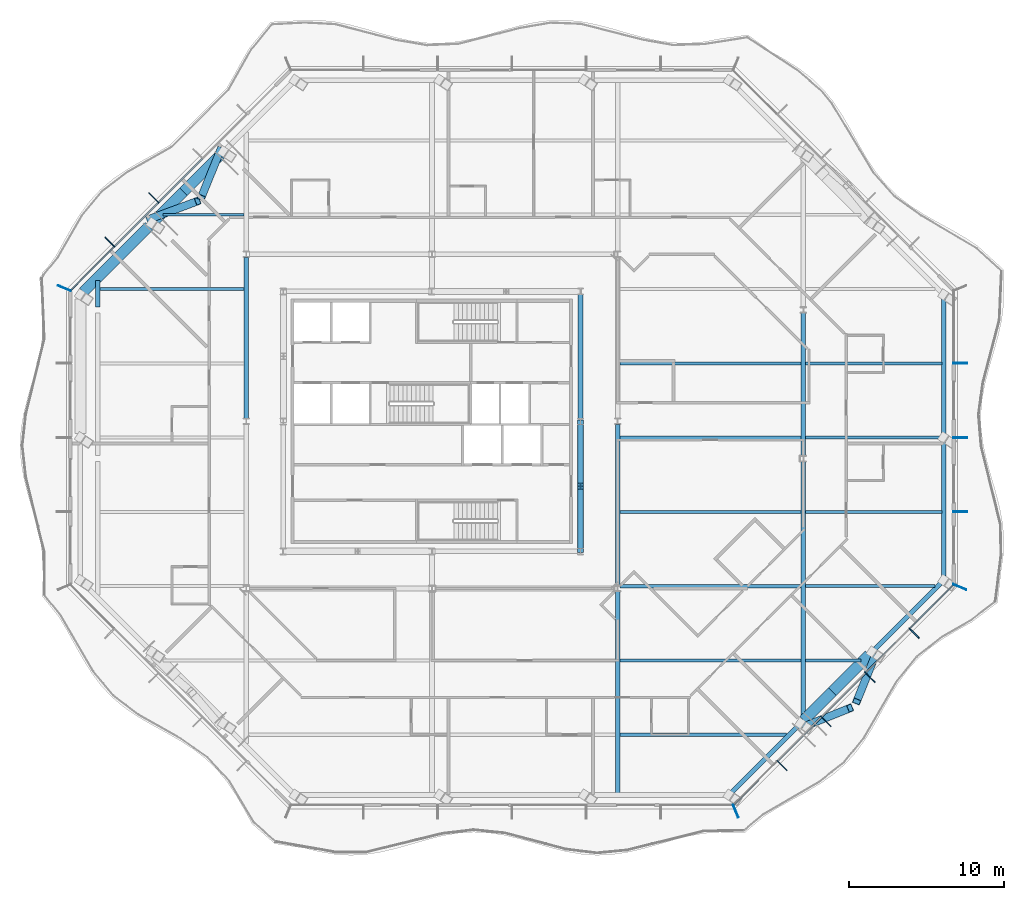
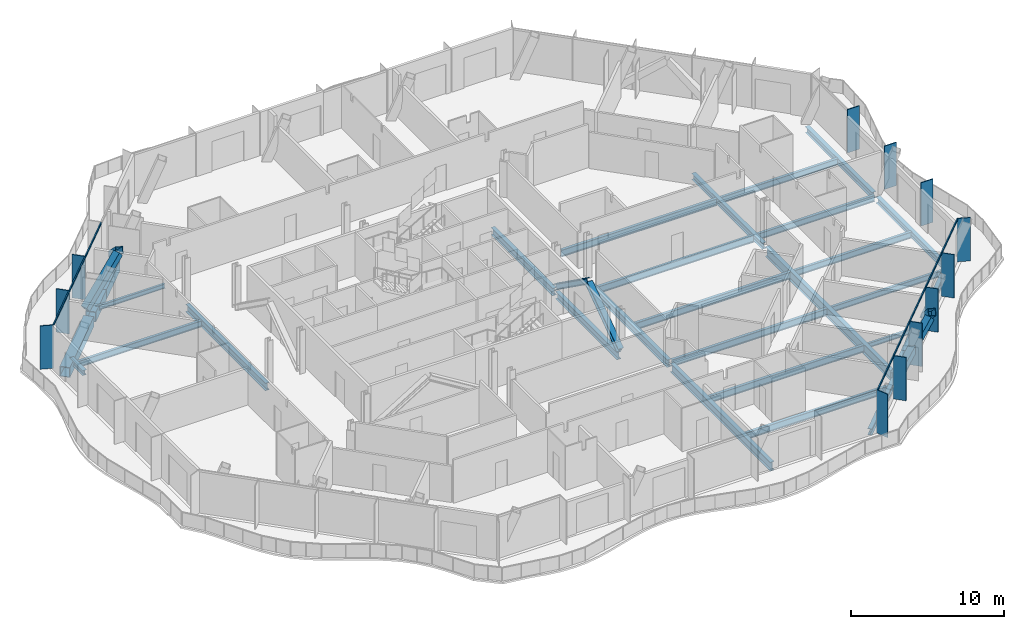
# One storey, part 4 of 19: 30 beams, 26 members, 4 elements without a shape of their own.
"""IFC4 building model written with IfcOpenShell, lengths in metres."""

from ifc_helpers import new_model, si_unit, direction, frame, origin, origin_2d, place, context, subcontext, project, spatial, rectangle, hollow_rectangle, i_section, extrude, material, material_profile, profile_set, type_object, element, aggregate, save


model = new_model("IFC4")

# Units and contexts
model_context = context("Model", 3, precision=1e-05, world=origin(), true_north=direction((0.0, 1.0)))
body_context = subcontext(model_context, "Body", "Model", "MODEL_VIEW")
ifc_project = project(units=[si_unit("LENGTHUNIT", "METRE"), si_unit("AREAUNIT", "SQUARE_METRE"), si_unit("VOLUMEUNIT", "CUBIC_METRE"), si_unit("PLANEANGLEUNIT", "RADIAN"), si_unit("MASSUNIT", "GRAM", prefix="KILO")], contexts=[model_context])

# Site, building, storey
site_placement = place(None, origin())
site = spatial("IfcSite", under=ifc_project, at=site_placement, CompositionType="ELEMENT")
building_placement = place(site_placement, origin())
building = spatial("IfcBuilding", under=site, at=building_placement, Name="Cairn Pilgrim Tower", CompositionType="ELEMENT")
storey_placement = place(building_placement, frame((0.0, 0.0, 190.199951171875)))
storey = spatial("IfcBuildingStorey", under=building, at=storey_placement, Name="L48", CompositionType="ELEMENT", Elevation=190.199951171875)

# Members
ifc_material_1 = material(Name="Structural steel S460M", Category="steel")
ifc_material_profile_1 = material_profile(ifc_material_1, hollow_rectangle(XDim=0.5, YDim=0.5, WallThickness=0.030029296875, at=origin_2d()), Name="BOX 500x500x30")
ifc_profile_set_1 = profile_set([ifc_material_profile_1], Name="Structural steel S460M")
member_type_1 = type_object("IfcMemberType", Name="BOX 500x500x30 BRACE", PredefinedType="BRACE", material=ifc_profile_set_1)
for number, where, z_axis, x_axis, name in (
    (1, (31.29150390625, -17.305908203125, 0.150146484375), (0.716101541701, 0.287715115432, 0.63593914357), (-0.372813914761, 0.927906129391, 0.0), "XB-SE2-SE3-1"),
    (2, (35.8310546875, -12.7666015625, 0.150146484375), (-0.287769739998, -0.716089270228, 0.6359282458), (0.92787943147, -0.372880357025, 0.0), "XB-SE2-SE3-2"),
):
    element("IfcMember", number, at=place(storey_placement, frame(where, z_axis=z_axis, x_axis=x_axis)), inside=storey, type_object=member_type_1, Name=name, PredefinedType="BRACE", context=body_context, shape_type="SweptSolid", body=[
        extrude(hollow_rectangle(XDim=0.5, YDim=0.5, WallThickness=0.030029296875, at=origin_2d()), origin(), (0.0, 0.0, 1.0), 4.099365234375),
    ])
member_1_placement = place(storey_placement, frame((-6.458251953125, 19.949462890625, 0.1123046875), z_axis=(-0.295154992859, -0.723596550511, 0.623932337902), x_axis=(0.925932925702, -0.377687989087, 0.0)))
element("IfcMember", 3, at=member_1_placement, inside=storey, type_object=member_type_1, Name="XB-NW2-NW3-1", PredefinedType="BRACE", context=body_context, shape_type="SweptSolid", body=[
    extrude(hollow_rectangle(XDim=0.5, YDim=0.5, WallThickness=0.030029296875, at=origin_2d()), origin(), (0.0, 0.0, 1.0), 4.262451171875),
])
member_2_placement = place(storey_placement, frame((-11.0810546875, 15.466552734375, 0.150146484375), z_axis=(0.73790861366, 0.275948569011, 0.61590848764), x_axis=(-0.350269570718, 0.936648935209, 0.0)))
element("IfcMember", 4, at=member_2_placement, inside=storey, type_object=member_type_1, Name="XB-NW2-NW3-2", PredefinedType="BRACE", context=body_context, shape_type="SweptSolid", body=[
    extrude(hollow_rectangle(XDim=0.5, YDim=0.5, WallThickness=0.030029296875, at=origin_2d()), origin(), (0.0, 0.0, 1.0), 4.25634765625),
])

# Beams
ifc_material_2 = material(Name="Structural steel S355J2", Category="steel")
ifc_material_profile_2 = material_profile(ifc_material_2, hollow_rectangle(XDim=0.699951171875, YDim=0.800048828125, WallThickness=0.0400390625, at=origin_2d()), Name="BOX 700x800x40")
ifc_profile_set_2 = profile_set([ifc_material_profile_2], Name="Structural steel S355J2")
beam_type_1 = type_object("IfcBeamType", Name="BOX 700x800x40 RING GIRDER", PredefinedType="SPANDREL", material=ifc_profile_set_2)
beam_1_placement = place(storey_placement, frame((31.21728515625, -16.934814453125, -0.550048828125), z_axis=(0.707153217357, 0.707060341967, 0.0), x_axis=(-0.707060341967, 0.707153217357, 0.0)))
element("IfcBeam", 5, at=beam_1_placement, inside=storey, type_object=beam_type_1, Name="RG2-SE2-SE3-1", PredefinedType="SPANDREL", context=body_context, shape_type="SweptSolid", body=[
    extrude(hollow_rectangle(XDim=0.699951171875, YDim=0.800048828125, WallThickness=0.0400390625, at=origin_2d()), origin(), (0.0, 0.0, 1.0), 2.628662109375),
])
for number, where, z_axis, x_axis, name in (
    (6, (33.076171875, -15.076171875, -0.550048828125), (0.707070568512, 0.707142992006, 0.0), (-0.707142992006, 0.707070568512, 0.0), "RG2-SE2-SE3-2"),
    (7, (-6.46728515625, 19.634765625, -0.550048828125), (-0.707142992006, -0.707070568512, 0.0), (0.707070568512, -0.707142992006, 0.0), "RG2-NW2-NW3-1"),
):
    element("IfcBeam", number, at=place(storey_placement, frame(where, z_axis=z_axis, x_axis=x_axis)), inside=storey, type_object=beam_type_1, Name=name, PredefinedType="SPANDREL", context=body_context, shape_type="SweptSolid", body=[
        extrude(hollow_rectangle(XDim=0.699951171875, YDim=0.800048828125, WallThickness=0.0400390625, at=origin_2d()), origin(), (0.0, 0.0, 1.0), 3.37109375),
    ])
beam_2_placement = place(storey_placement, frame((-8.85107421875, 17.251220703125, -0.550048828125), z_axis=(-0.707060341967, -0.707153217357, 0.0), x_axis=(0.707153217357, -0.707060341967, 0.0)))
element("IfcBeam", 8, at=beam_2_placement, inside=storey, type_object=beam_type_1, Name="RG2-NW2-NW3-2", PredefinedType="SPANDREL", context=body_context, shape_type="SweptSolid", body=[
    extrude(hollow_rectangle(XDim=0.699951171875, YDim=0.800048828125, WallThickness=0.0400390625, at=origin_2d()), origin(), (0.0, 0.0, 1.0), 2.628662109375),
])
beam_3_placement = place(storey_placement, frame((-11.091796875, 15.010498046875, -0.550048828125), z_axis=(-0.707086434254, -0.707127127534, 0.0), x_axis=(0.707127127534, -0.707086434254, 0.0)))
element("IfcBeam", 9, at=beam_3_placement, inside=storey, type_object=beam_type_1, Name="RG2-NW3-W1", PredefinedType="SPANDREL", context=body_context, shape_type="SweptSolid", body=[
    extrude(hollow_rectangle(XDim=0.699951171875, YDim=0.800048828125, WallThickness=0.0400390625, at=origin_2d()), origin(), (0.0, 0.0, 1.0), 5.99951171875),
])

# Curtain wall, members
ifc_material_3 = material(Name="Aluminium alloy 6063-T6 bronze anodised with Bronze tinted laminated low-E glass 8+16+8.8", Category="aluminium")
curtain_wall_type_1 = type_object("IfcCurtainWallType", Name="CHAMFER CORNER CURTAIN WALL", PredefinedType="NOTDEFINED", material=ifc_material_3)
curtain_wall_1_placement = place(storey_placement, origin())
curtain_wall_1 = element("IfcCurtainWall", 10, at=curtain_wall_1_placement, inside=storey, type_object=curtain_wall_type_1, Name="Chamfer Corner Curtain Wall SE", PredefinedType="NOTDEFINED")
ifc_material_4 = material(Name="Aluminium alloy 6063-T6 bronze anodised", Category="aluminium")
ifc_material_profile_3 = material_profile(ifc_material_4, rectangle(XDim=0.89990234375, YDim=0.06005859375, at=origin_2d()), Name="FIN MULLION 60x900 BRONZE")
ifc_profile_set_3 = profile_set([ifc_material_profile_3], Name="Aluminium alloy 6063-T6 bronze anodised")
member_type_2 = type_object("IfcMemberType", Name="FIN MULLION 60x900 BRONZE", PredefinedType="MULLION", material=ifc_profile_set_3)
member_3_placement = place(storey_placement, frame((26.832275390625, -22.7880859375, 0.0), z_axis=(0.0, 0.0, 1.0), x_axis=(0.382683432365, -0.923879532511, 0.0)))
member_3 = element("IfcMember", 11, at=member_3_placement, type_object=member_type_2, Name="Fin mullion SE1", PredefinedType="MULLION", context=body_context, shape_type="SweptSolid", body=[
    extrude(rectangle(XDim=0.89990234375, YDim=0.06005859375, at=origin_2d()), origin(), (0.0, 0.0, 1.0), 3.449951171875),
])
member_4_placement = place(storey_placement, frame((29.819091796875, -19.84619140625, 0.0), z_axis=(0.0, 0.0, 1.0), x_axis=(0.707106781187, -0.707106781187, 0.0)))
member_4 = element("IfcMember", 12, at=member_4_placement, type_object=member_type_2, Name="Fin mullion SE2", PredefinedType="MULLION", context=body_context, shape_type="SweptSolid", body=[
    extrude(rectangle(XDim=0.89990234375, YDim=0.06005859375, at=origin_2d()), origin(), (0.0, 0.0, 1.0), 3.449951171875),
])
member_5_placement = place(storey_placement, frame((32.669921875, -16.99560546875, 0.0), z_axis=(0.0, 0.0, 1.0), x_axis=(0.707106781187, -0.707106781187, 0.0)))
member_5 = element("IfcMember", 13, at=member_5_placement, type_object=member_type_2, Name="Fin mullion SE3", PredefinedType="MULLION", context=body_context, shape_type="SweptSolid", body=[
    extrude(rectangle(XDim=0.89990234375, YDim=0.06005859375, at=origin_2d()), origin(), (0.0, 0.0, 1.0), 3.449951171875),
])
member_6_placement = place(storey_placement, frame((35.5205078125, -14.144775390625, 0.0), z_axis=(0.0, 0.0, 1.0), x_axis=(0.707106781187, -0.707106781187, 0.0)))
member_6 = element("IfcMember", 14, at=member_6_placement, type_object=member_type_2, Name="Fin mullion SE4", PredefinedType="MULLION", context=body_context, shape_type="SweptSolid", body=[
    extrude(rectangle(XDim=0.89990234375, YDim=0.06005859375, at=origin_2d()), origin(), (0.0, 0.0, 1.0), 3.449951171875),
])
member_7_placement = place(storey_placement, frame((38.371337890625, -11.294189453125, 0.0), z_axis=(0.0, 0.0, 1.0), x_axis=(0.707106781187, -0.707106781187, 0.0)))
member_7 = element("IfcMember", 15, at=member_7_placement, type_object=member_type_2, Name="Fin mullion SE5", PredefinedType="MULLION", context=body_context, shape_type="SweptSolid", body=[
    extrude(rectangle(XDim=0.89990234375, YDim=0.06005859375, at=origin_2d()), origin(), (0.0, 0.0, 1.0), 3.449951171875),
])

curtain_wall_type_2 = type_object("IfcCurtainWallType", Name="TOWER STICK CURTAIN WALL EW", PredefinedType="NOTDEFINED", material=ifc_material_3)
curtain_wall_2_placement = place(storey_placement, origin())
curtain_wall_2 = element("IfcCurtainWall", 16, at=curtain_wall_2_placement, inside=storey, type_object=curtain_wall_type_2, Name="Tower Stick Curtain Wall Ew E", PredefinedType="NOTDEFINED")
member_8_placement = place(storey_placement, frame((41.31298828125, -8.30712890625, 0.0), z_axis=(0.0, 0.0, 1.0), x_axis=(0.923879532511, -0.382683432365, 0.0)))
member_8 = element("IfcMember", 17, at=member_8_placement, type_object=member_type_2, Name="Fin mullion E1", PredefinedType="MULLION", context=body_context, shape_type="SweptSolid", body=[
    extrude(rectangle(XDim=0.89990234375, YDim=0.06005859375, at=origin_2d()), origin(), (0.0, 0.0, 1.0), 3.449951171875),
])
member_9_placement = place(storey_placement, frame((41.344970703125, -3.449951171875, 0.0), z_axis=(0.0, 0.0, 1.0), x_axis=(1.0, 0.0, 0.0)))
member_9 = element("IfcMember", 18, at=member_9_placement, type_object=member_type_2, Name="Fin mullion E2", PredefinedType="MULLION", context=body_context, shape_type="SweptSolid", body=[
    extrude(rectangle(XDim=0.89990234375, YDim=0.06005859375, at=origin_2d()), origin(), (0.0, 0.0, 1.0), 3.449951171875),
])
member_10_placement = place(storey_placement, frame((41.344970703125, 1.35009765625, 0.0), z_axis=(0.0, 0.0, 1.0), x_axis=(1.0, 0.0, 0.0)))
member_10 = element("IfcMember", 19, at=member_10_placement, type_object=member_type_2, Name="Fin mullion E3", PredefinedType="MULLION", context=body_context, shape_type="SweptSolid", body=[
    extrude(rectangle(XDim=0.89990234375, YDim=0.06005859375, at=origin_2d()), origin(), (0.0, 0.0, 1.0), 3.449951171875),
])
member_11_placement = place(storey_placement, frame((41.344970703125, 6.14990234375, 0.0), z_axis=(0.0, 0.0, 1.0), x_axis=(1.0, 0.0, 0.0)))
member_11 = element("IfcMember", 20, at=member_11_placement, type_object=member_type_2, Name="Fin mullion E4", PredefinedType="MULLION", context=body_context, shape_type="SweptSolid", body=[
    extrude(rectangle(XDim=0.89990234375, YDim=0.06005859375, at=origin_2d()), origin(), (0.0, 0.0, 1.0), 3.449951171875),
])
aggregate(curtain_wall_2, [member_8, member_9, member_10, member_11])

curtain_wall_3_placement = place(storey_placement, origin())
curtain_wall_3 = element("IfcCurtainWall", 21, at=curtain_wall_3_placement, inside=storey, type_object=curtain_wall_type_1, Name="Chamfer Corner Curtain Wall NW", PredefinedType="NOTDEFINED")
member_12_placement = place(storey_placement, frame((-10.7705078125, 16.844970703125, 0.0), z_axis=(0.0, 0.0, 1.0), x_axis=(-0.707106781187, 0.707106781187, 0.0)))
member_12 = element("IfcMember", 22, at=member_12_placement, type_object=member_type_2, Name="Fin mullion NW4", PredefinedType="MULLION", context=body_context, shape_type="SweptSolid", body=[
    extrude(rectangle(XDim=0.89990234375, YDim=0.06005859375, at=origin_2d()), origin(), (0.0, 0.0, 1.0), 3.449951171875),
])
member_13_placement = place(storey_placement, frame((-13.621337890625, 13.994140625, 0.0), z_axis=(0.0, 0.0, 1.0), x_axis=(-0.707106781187, 0.707106781187, 0.0)))
member_13 = element("IfcMember", 23, at=member_13_placement, type_object=member_type_2, Name="Fin mullion NW5", PredefinedType="MULLION", context=body_context, shape_type="SweptSolid", body=[
    extrude(rectangle(XDim=0.89990234375, YDim=0.06005859375, at=origin_2d()), origin(), (0.0, 0.0, 1.0), 3.449951171875),
])

# Curtain wall, member
curtain_wall_4_placement = place(storey_placement, origin())
curtain_wall_4 = element("IfcCurtainWall", 24, at=curtain_wall_4_placement, inside=storey, type_object=curtain_wall_type_2, Name="Tower Stick Curtain Wall Ew W", PredefinedType="NOTDEFINED")
member_14_placement = place(storey_placement, frame((-16.56298828125, 11.007080078125, 0.0), z_axis=(0.0, 0.0, 1.0), x_axis=(-0.923879532511, 0.382683432365, 0.0)))
member_14 = element("IfcMember", 25, at=member_14_placement, type_object=member_type_2, Name="Fin mullion W1", PredefinedType="MULLION", context=body_context, shape_type="SweptSolid", body=[
    extrude(rectangle(XDim=0.89990234375, YDim=0.06005859375, at=origin_2d()), origin(), (0.0, 0.0, 1.0), 3.449951171875),
])
aggregate(curtain_wall_4, [member_14])

# Members
ifc_material_profile_4 = material_profile(ifc_material_1, i_section(OverallWidth=0.408935546875, OverallDepth=0.425048828125, WebThickness=0.03271484375, FlangeThickness=0.052490234375, FilletRadius=0.014892578125, at=origin_2d()), Name="HD 400x421")
ifc_profile_set_4 = profile_set([ifc_material_profile_4], Name="Structural steel S460M")
member_type_3 = type_object("IfcMemberType", Name="HD 400x421 BRACE", PredefinedType="BRACE", material=ifc_profile_set_4)
member_15_placement = place(storey_placement, frame((16.800048828125, -5.95849609375, 0.10009765625), z_axis=(0.0, 0.814346882511, 0.580378458373), x_axis=(-1.0, 0.0, 0.0)))
element("IfcMember", 26, at=member_15_placement, inside=storey, type_object=member_type_3, Name="KB-2A", PredefinedType="BRACE", context=body_context, shape_type="SweptSolid", body=[
    extrude(i_section(OverallWidth=0.408935546875, OverallDepth=0.425048828125, WebThickness=0.03271484375, FlangeThickness=0.052490234375, FilletRadius=0.014892578125, at=origin_2d()), origin(), (0.0, 0.0, 1.0), 4.998291015625),
])
member_16_placement = place(storey_placement, frame((16.800048828125, 2.3583984375, 0.10009765625), z_axis=(0.0, -0.81433042856, 0.580401544727), x_axis=(1.0, 0.0, 0.0)))
element("IfcMember", 27, at=member_16_placement, inside=storey, type_object=member_type_3, Name="KB-2B", PredefinedType="BRACE", context=body_context, shape_type="SweptSolid", body=[
    extrude(i_section(OverallWidth=0.408935546875, OverallDepth=0.425048828125, WebThickness=0.03271484375, FlangeThickness=0.052490234375, FilletRadius=0.014892578125, at=origin_2d()), origin(), (0.0, 0.0, 1.0), 4.998046875),
])

# Beams
ifc_material_profile_5 = material_profile(ifc_material_2, i_section(OverallWidth=0.300048828125, OverallDepth=0.39990234375, WebThickness=0.013427734375, FlangeThickness=0.02392578125, FilletRadius=0.027099609375, at=origin_2d()), Name="HEB 400")
ifc_profile_set_5 = profile_set([ifc_material_profile_5], Name="Structural steel S355J2")
beam_type_2 = type_object("IfcBeamType", Name="HEB 400 GIRDER", PredefinedType="BEAM", material=ifc_profile_set_5)
beam_4_placement = place(storey_placement, frame((-14.39990234375, 9.799560546875, -0.349853515625), z_axis=(0.0, 1.0, 0.0), x_axis=(-1.0, 0.0, 0.0)))
element("IfcBeam", 28, at=beam_4_placement, inside=storey, type_object=beam_type_2, Name="PG1-E1", PredefinedType="BEAM", context=body_context, shape_type="SweptSolid", body=[
    extrude(i_section(OverallWidth=0.300048828125, OverallDepth=0.39990234375, WebThickness=0.013427734375, FlangeThickness=0.02392578125, FilletRadius=0.027099609375, at=origin_2d()), origin(), (0.0, 0.0, 1.0), 1.720458984375),
])
ifc_material_profile_6 = material_profile(ifc_material_2, i_section(OverallWidth=0.300048828125, OverallDepth=0.5, WebThickness=0.014404296875, FlangeThickness=0.028076171875, FilletRadius=0.027099609375, at=origin_2d()), Name="HEB 500")
ifc_profile_set_6 = profile_set([ifc_material_profile_6], Name="Structural steel S355J2")
beam_type_3 = type_object("IfcBeamType", Name="HEB 500 GIRDER", PredefinedType="BEAM", material=ifc_profile_set_6)
beam_5_placement = place(storey_placement, frame((31.199951171875, 0.20458984375, -0.39990234375), z_axis=(0.0, 1.0, 0.0), x_axis=(-1.0, 0.0, 0.0)))
element("IfcBeam", 29, at=beam_5_placement, inside=storey, type_object=beam_type_3, Name="PG5-2", PredefinedType="BEAM", context=body_context, shape_type="SweptSolid", body=[
    extrude(i_section(OverallWidth=0.300048828125, OverallDepth=0.5, WebThickness=0.014404296875, FlangeThickness=0.028076171875, FilletRadius=0.027099609375, at=origin_2d()), origin(), (0.0, 0.0, 1.0), 9.19091796875),
])
ifc_material_profile_7 = material_profile(ifc_material_2, i_section(OverallWidth=0.300048828125, OverallDepth=0.5, WebThickness=0.014404296875, FlangeThickness=0.028076171875, FilletRadius=0.027099609375, at=origin_2d()), Name="HEB 500")
ifc_profile_set_7 = profile_set([ifc_material_profile_7], Name="Structural steel S355J2")
beam_type_4 = type_object("IfcBeamType", Name="HEB 500 RING GIRDER", PredefinedType="SPANDREL", material=ifc_profile_set_7)
beam_6_placement = place(storey_placement, frame((26.593017578125, -21.55908203125, -0.39990234375), z_axis=(0.707127126363, 0.707086435425, 0.0), x_axis=(-0.707086435425, 0.707127126363, 0.0)))
element("IfcBeam", 30, at=beam_6_placement, inside=storey, type_object=beam_type_4, Name="RG2-SE1-SE2", PredefinedType="SPANDREL", context=body_context, shape_type="SweptSolid", body=[
    extrude(i_section(OverallWidth=0.300048828125, OverallDepth=0.5, WebThickness=0.014404296875, FlangeThickness=0.028076171875, FilletRadius=0.027099609375, at=origin_2d()), origin(), (0.0, 0.0, 1.0), 5.999755859375),
])
beam_7_placement = place(storey_placement, frame((35.841796875, -12.310546875, -0.39990234375), z_axis=(0.707086434254, 0.707127127534, 0.0), x_axis=(-0.707127127534, 0.707086434254, 0.0)))
element("IfcBeam", 31, at=beam_7_placement, inside=storey, type_object=beam_type_4, Name="RG2-SE3-E1", PredefinedType="SPANDREL", context=body_context, shape_type="SweptSolid", body=[
    extrude(i_section(OverallWidth=0.300048828125, OverallDepth=0.5, WebThickness=0.014404296875, FlangeThickness=0.028076171875, FilletRadius=0.027099609375, at=origin_2d()), origin(), (0.0, 0.0, 1.0), 5.99951171875),
])
beam_8_placement = place(storey_placement, frame((40.27490234375, -7.607177734375, -0.39990234375), z_axis=(0.0, 1.0, 0.0), x_axis=(-1.0, 0.0, 0.0)))
element("IfcBeam", 32, at=beam_8_placement, inside=storey, type_object=beam_type_4, Name="RG2-E1-E2", PredefinedType="SPANDREL", context=body_context, shape_type="SweptSolid", body=[
    extrude(i_section(OverallWidth=0.300048828125, OverallDepth=0.5, WebThickness=0.014404296875, FlangeThickness=0.028076171875, FilletRadius=0.027099609375, at=origin_2d()), origin(), (0.0, 0.0, 1.0), 8.687255859375),
])
beam_9_placement = place(storey_placement, frame((40.27490234375, 1.6201171875, -0.39990234375), z_axis=(0.0, 1.0, 0.0), x_axis=(-1.0, 0.0, 0.0)))
element("IfcBeam", 33, at=beam_9_placement, inside=storey, type_object=beam_type_4, Name="RG2-E2-NE1", PredefinedType="SPANDREL", context=body_context, shape_type="SweptSolid", body=[
    extrude(i_section(OverallWidth=0.300048828125, OverallDepth=0.5, WebThickness=0.014404296875, FlangeThickness=0.028076171875, FilletRadius=0.027099609375, at=origin_2d()), origin(), (0.0, 0.0, 1.0), 8.68701171875),
])
ifc_material_profile_8 = material_profile(ifc_material_2, i_section(OverallWidth=0.300048828125, OverallDepth=0.60009765625, WebThickness=0.015380859375, FlangeThickness=0.030029296875, FilletRadius=0.027099609375, at=origin_2d()), Name="HEB 600")
ifc_profile_set_8 = profile_set([ifc_material_profile_8], Name="Structural steel S355J2")
beam_type_5 = type_object("IfcBeamType", Name="HEB 600 CORE BEAM", PredefinedType="BEAM", material=ifc_profile_set_8)
for number, where, z_axis, x_axis, name in (
    (34, (16.800048828125, -5.812744140625, -0.449951171875), (0.0, 1.0, 0.0), (-1.0, 0.0, 0.0), "CB-3"),
    (35, (16.800048828125, 2.587158203125, -0.449951171875), (0.0, 1.0, 0.0), (-1.0, 0.0, 0.0), "CB-4"),
):
    element("IfcBeam", number, at=place(storey_placement, frame(where, z_axis=z_axis, x_axis=x_axis)), inside=storey, type_object=beam_type_5, Name=name, PredefinedType="BEAM", context=body_context, shape_type="SweptSolid", body=[
        extrude(i_section(OverallWidth=0.300048828125, OverallDepth=0.60009765625, WebThickness=0.015380859375, FlangeThickness=0.030029296875, FilletRadius=0.027099609375, at=origin_2d()), origin(), (0.0, 0.0, 1.0), 8.025634765625),
    ])
ifc_material_profile_9 = material_profile(ifc_material_2, i_section(OverallWidth=0.300048828125, OverallDepth=0.60009765625, WebThickness=0.015380859375, FlangeThickness=0.030029296875, FilletRadius=0.027099609375, at=origin_2d()), Name="HEB 600")
ifc_profile_set_9 = profile_set([ifc_material_profile_9], Name="Structural steel S355J2")
beam_type_6 = type_object("IfcBeamType", Name="HEB 600 GIRDER", PredefinedType="BEAM", material=ifc_profile_set_9)
for number, where, z_axis, x_axis, name in (
    (36, (-4.800048828125, 2.599609375, -0.449951171875), (0.0, 1.0, 0.0), (-1.0, 0.0, 0.0), "PG2-3"),
    (37, (19.199951171875, -8.200439453125, -0.449951171875), (0.0, 1.0, 0.0), (-1.0, 0.0, 0.0), "PG4-2"),
):
    element("IfcBeam", number, at=place(storey_placement, frame(where, z_axis=z_axis, x_axis=x_axis)), inside=storey, type_object=beam_type_6, Name=name, PredefinedType="BEAM", context=body_context, shape_type="SweptSolid", body=[
        extrude(i_section(OverallWidth=0.300048828125, OverallDepth=0.60009765625, WebThickness=0.015380859375, FlangeThickness=0.030029296875, FilletRadius=0.027099609375, at=origin_2d()), origin(), (0.0, 0.0, 1.0), 10.40087890625),
    ])
ifc_material_profile_10 = material_profile(ifc_material_2, i_section(OverallWidth=0.300048828125, OverallDepth=0.699951171875, WebThickness=0.01708984375, FlangeThickness=0.031982421875, FilletRadius=0.027099609375, at=origin_2d()), Name="HEB 700")
ifc_profile_set_10 = profile_set([ifc_material_profile_10], Name="Structural steel S355J2")
beam_type_7 = type_object("IfcBeamType", Name="HEB 700 GIRDER", PredefinedType="BEAM", material=ifc_profile_set_10)
beam_10_placement = place(storey_placement, frame((19.199951171875, -21.6298828125, -0.5), z_axis=(0.0, 1.0, 0.0), x_axis=(-1.0, 0.0, 0.0)))
element("IfcBeam", 38, at=beam_10_placement, inside=storey, type_object=beam_type_7, Name="PG4-1", PredefinedType="BEAM", context=body_context, shape_type="SweptSolid", body=[
    extrude(i_section(OverallWidth=0.300048828125, OverallDepth=0.699951171875, WebThickness=0.01708984375, FlangeThickness=0.031982421875, FilletRadius=0.027099609375, at=origin_2d()), origin(), (0.0, 0.0, 1.0), 13.0302734375),
])
ifc_material_profile_11 = material_profile(ifc_material_2, i_section(OverallWidth=0.300048828125, OverallDepth=0.800048828125, WebThickness=0.017578125, FlangeThickness=0.032958984375, FilletRadius=0.030029296875, at=origin_2d()), Name="HEB 800")
ifc_profile_set_11 = profile_set([ifc_material_profile_11], Name="Structural steel S355J2")
beam_type_8 = type_object("IfcBeamType", Name="HEB 800 GIRDER", PredefinedType="BEAM", material=ifc_profile_set_11)
beam_11_placement = place(storey_placement, frame((31.199951171875, -16.77001953125, -0.550048828125), z_axis=(0.0, 1.0, 0.0), x_axis=(-1.0, 0.0, 0.0)))
element("IfcBeam", 39, at=beam_11_placement, inside=storey, type_object=beam_type_8, Name="PG5-1", PredefinedType="BEAM", context=body_context, shape_type="SweptSolid", body=[
    extrude(i_section(OverallWidth=0.300048828125, OverallDepth=0.800048828125, WebThickness=0.017578125, FlangeThickness=0.032958984375, FilletRadius=0.030029296875, at=origin_2d()), origin(), (0.0, 0.0, 1.0), 16.5654296875),
])
ifc_material_profile_12 = material_profile(ifc_material_2, i_section(OverallWidth=0.169921875, OverallDepth=0.360107421875, WebThickness=0.008056640625, FlangeThickness=0.0126953125, FilletRadius=0.01806640625, at=origin_2d()), Name="IPE 360")
ifc_profile_set_12 = profile_set([ifc_material_profile_12], Name="Structural steel S355J2")
beam_type_9 = type_object("IfcBeamType", Name="IPE 360 SECONDARY BEAM", PredefinedType="JOIST", material=ifc_profile_set_12)
beam_12_placement = place(storey_placement, frame((31.35009765625, -13.050048828125, -0.329833984375), z_axis=(1.0, 0.0, 0.0), x_axis=(0.0, 1.0, 0.0)))
element("IfcBeam", 40, at=beam_12_placement, inside=storey, type_object=beam_type_9, Name="SB2-5", PredefinedType="JOIST", context=body_context, shape_type="SweptSolid", body=[
    extrude(i_section(OverallWidth=0.169921875, OverallDepth=0.360107421875, WebThickness=0.008056640625, FlangeThickness=0.0126953125, FilletRadius=0.01806640625, at=origin_2d()), origin(), (0.0, 0.0, 1.0), 3.570068359375),
])
beam_13_placement = place(storey_placement, frame((-10.170166015625, 15.75, -0.329833984375), z_axis=(1.0, 0.0, 0.0), x_axis=(0.0, 1.0, 0.0)))
element("IfcBeam", 41, at=beam_13_placement, inside=storey, type_object=beam_type_9, Name="SB8-1", PredefinedType="JOIST", context=body_context, shape_type="SweptSolid", body=[
    extrude(i_section(OverallWidth=0.169921875, OverallDepth=0.360107421875, WebThickness=0.008056640625, FlangeThickness=0.0126953125, FilletRadius=0.01806640625, at=origin_2d()), origin(), (0.0, 0.0, 1.0), 5.22021484375),
])
ifc_material_profile_13 = material_profile(ifc_material_2, i_section(OverallWidth=0.18994140625, OverallDepth=0.449951171875, WebThickness=0.009521484375, FlangeThickness=0.0146484375, FilletRadius=0.02099609375, at=origin_2d()), Name="IPE 450")
ifc_profile_set_13 = profile_set([ifc_material_profile_13], Name="Structural steel S355J2")
beam_type_10 = type_object("IfcBeamType", Name="IPE 450 SECONDARY BEAM", PredefinedType="JOIST", material=ifc_profile_set_13)
beam_14_placement = place(storey_placement, frame((31.35009765625, -8.25, -0.375), z_axis=(1.0, 0.0, 0.0), x_axis=(0.0, 1.0, 0.0)))
element("IfcBeam", 42, at=beam_14_placement, inside=storey, type_object=beam_type_10, Name="SB3-3", PredefinedType="JOIST", context=body_context, shape_type="SweptSolid", body=[
    extrude(i_section(OverallWidth=0.18994140625, OverallDepth=0.449951171875, WebThickness=0.009521484375, FlangeThickness=0.0146484375, FilletRadius=0.02099609375, at=origin_2d()), origin(), (0.0, 0.0, 1.0), 8.3701171875),
])
ifc_material_profile_14 = material_profile(ifc_material_2, i_section(OverallWidth=0.199951171875, OverallDepth=0.5, WebThickness=0.01025390625, FlangeThickness=0.01611328125, FilletRadius=0.02099609375, at=origin_2d()), Name="IPE 500")
ifc_profile_set_14 = profile_set([ifc_material_profile_14], Name="Structural steel S355J2")
beam_type_11 = type_object("IfcBeamType", Name="IPE 500 SECONDARY BEAM", PredefinedType="JOIST", material=ifc_profile_set_14)
for number, where, z_axis, x_axis, name in (
    (43, (31.35009765625, -3.449951171875, -0.39990234375), (1.0, 0.0, 0.0), (0.0, 1.0, 0.0), "SB4-3"),
    (44, (31.35009765625, 1.35009765625, -0.39990234375), (1.0, 0.0, 0.0), (0.0, 1.0, 0.0), "SB5-3"),
    (45, (31.35009765625, 6.14990234375, -0.39990234375), (1.0, 0.0, 0.0), (0.0, 1.0, 0.0), "SB6-3"),
):
    element("IfcBeam", number, at=place(storey_placement, frame(where, z_axis=z_axis, x_axis=x_axis)), inside=storey, type_object=beam_type_11, Name=name, PredefinedType="JOIST", context=body_context, shape_type="SweptSolid", body=[
        extrude(i_section(OverallWidth=0.199951171875, OverallDepth=0.5, WebThickness=0.01025390625, FlangeThickness=0.01611328125, FilletRadius=0.02099609375, at=origin_2d()), origin(), (0.0, 0.0, 1.0), 8.804931640625),
    ])
beam_15_placement = place(storey_placement, frame((-14.25, 10.949951171875, -0.39990234375), z_axis=(1.0, 0.0, 0.0), x_axis=(0.0, 1.0, 0.0)))
element("IfcBeam", 46, at=beam_15_placement, inside=storey, type_object=beam_type_11, Name="SB7-1", PredefinedType="JOIST", context=body_context, shape_type="SweptSolid", body=[
    extrude(i_section(OverallWidth=0.199951171875, OverallDepth=0.5, WebThickness=0.01025390625, FlangeThickness=0.01611328125, FilletRadius=0.02099609375, at=origin_2d()), origin(), (0.0, 0.0, 1.0), 9.300048828125),
])
ifc_material_profile_15 = material_profile(ifc_material_2, i_section(OverallWidth=0.2099609375, OverallDepth=0.550048828125, WebThickness=0.010986328125, FlangeThickness=0.01708984375, FilletRadius=0.02392578125, at=origin_2d()), Name="IPE 550")
ifc_profile_set_15 = profile_set([ifc_material_profile_15], Name="Structural steel S355J2")
beam_type_12 = type_object("IfcBeamType", Name="IPE 550 SECONDARY BEAM", PredefinedType="JOIST", material=ifc_profile_set_15)
beam_16_placement = place(storey_placement, frame((19.35009765625, -17.85009765625, -0.425048828125), z_axis=(1.0, 0.0, 0.0), x_axis=(0.0, 1.0, 0.0)))
element("IfcBeam", 47, at=beam_16_placement, inside=storey, type_object=beam_type_12, Name="SB1-3", PredefinedType="JOIST", context=body_context, shape_type="SweptSolid", body=[
    extrude(i_section(OverallWidth=0.2099609375, OverallDepth=0.550048828125, WebThickness=0.010986328125, FlangeThickness=0.01708984375, FilletRadius=0.02392578125, at=origin_2d()), origin(), (0.0, 0.0, 1.0), 10.77001953125),
])
for number, where, z_axis, x_axis, name in (
    (48, (19.35009765625, -13.050048828125, -0.425048828125), (1.0, 0.0, 0.0), (0.0, 1.0, 0.0), "SB2-4"),
    (49, (19.35009765625, -8.25, -0.425048828125), (1.0, 0.0, 0.0), (0.0, 1.0, 0.0), "SB3-2"),
    (50, (19.35009765625, -3.449951171875, -0.425048828125), (1.0, 0.0, 0.0), (0.0, 1.0, 0.0), "SB4-2"),
    (51, (19.35009765625, 1.35009765625, -0.425048828125), (1.0, 0.0, 0.0), (0.0, 1.0, 0.0), "SB5-2"),
    (52, (19.35009765625, 6.14990234375, -0.425048828125), (1.0, 0.0, 0.0), (0.0, 1.0, 0.0), "SB6-2"),
):
    element("IfcBeam", number, at=place(storey_placement, frame(where, z_axis=z_axis, x_axis=x_axis)), inside=storey, type_object=beam_type_12, Name=name, PredefinedType="JOIST", context=body_context, shape_type="SweptSolid", body=[
        extrude(i_section(OverallWidth=0.2099609375, OverallDepth=0.550048828125, WebThickness=0.010986328125, FlangeThickness=0.01708984375, FilletRadius=0.02392578125, at=origin_2d()), origin(), (0.0, 0.0, 1.0), 11.699951171875),
    ])

# Member
ifc_material_profile_16 = material_profile(ifc_material_4, rectangle(XDim=0.080078125, YDim=0.14990234375, at=origin_2d()), Name="TRANSOM 80x150 BRONZE")
ifc_profile_set_16 = profile_set([ifc_material_profile_16], Name="Aluminium alloy 6063-T6 bronze anodised")
member_type_4 = type_object("IfcMemberType", Name="TRANSOM 80x150 BRONZE", PredefinedType="USERDEFINED", material=ifc_profile_set_16)
member_17_placement = place(storey_placement, frame((26.69970703125, -22.371826171875, 3.375), z_axis=(0.707106781187, 0.707106781187, 0.0), x_axis=(-0.707106781187, 0.707106781187, 0.0)))
member_17 = element("IfcMember", 53, at=member_17_placement, type_object=member_type_4, Name="Transom SE1", ObjectType="TRANSOM", PredefinedType="USERDEFINED", context=body_context, shape_type="SweptSolid", body=[
    extrude(rectangle(XDim=0.080078125, YDim=0.14990234375, at=origin_2d()), origin(), (0.0, 0.0, 1.0), 3.961669921875),
])

member_18_placement = place(storey_placement, frame((29.54345703125, -19.528076171875, 3.375), z_axis=(0.707076043427, 0.70713751761, 0.0), x_axis=(-0.70713751761, 0.707076043427, 0.0)))
member_18 = element("IfcMember", 54, at=member_18_placement, type_object=member_type_4, Name="Transom SE2", ObjectType="TRANSOM", PredefinedType="USERDEFINED", context=body_context, shape_type="SweptSolid", body=[
    extrude(rectangle(XDim=0.080078125, YDim=0.14990234375, at=origin_2d()), origin(), (0.0, 0.0, 1.0), 3.971435546875),
])

member_19_placement = place(storey_placement, frame((32.39404296875, -16.67724609375, 3.375), z_axis=(0.70713751761, 0.707076043427, 0.0), x_axis=(-0.707076043427, 0.70713751761, 0.0)))
member_19 = element("IfcMember", 55, at=member_19_placement, type_object=member_type_4, Name="Transom SE3", ObjectType="TRANSOM", PredefinedType="USERDEFINED", context=body_context, shape_type="SweptSolid", body=[
    extrude(rectangle(XDim=0.080078125, YDim=0.14990234375, at=origin_2d()), origin(), (0.0, 0.0, 1.0), 3.971435546875),
])

member_20_placement = place(storey_placement, frame((35.244873046875, -13.82666015625, 3.375), z_axis=(0.707076043427, 0.70713751761, 0.0), x_axis=(-0.70713751761, 0.707076043427, 0.0)))
member_20 = element("IfcMember", 56, at=member_20_placement, type_object=member_type_4, Name="Transom SE4", ObjectType="TRANSOM", PredefinedType="USERDEFINED", context=body_context, shape_type="SweptSolid", body=[
    extrude(rectangle(XDim=0.080078125, YDim=0.14990234375, at=origin_2d()), origin(), (0.0, 0.0, 1.0), 3.971435546875),
])

member_21_placement = place(storey_placement, frame((38.095458984375, -10.975830078125, 3.375), z_axis=(0.707137595296, 0.707075965734, 0.0), x_axis=(-0.707075965734, 0.707137595296, 0.0)))
member_21 = element("IfcMember", 57, at=member_21_placement, type_object=member_type_4, Name="Transom SE5", ObjectType="TRANSOM", PredefinedType="USERDEFINED", context=body_context, shape_type="SweptSolid", body=[
    extrude(rectangle(XDim=0.080078125, YDim=0.14990234375, at=origin_2d()), origin(), (0.0, 0.0, 1.0), 3.96142578125),
])

aggregate(curtain_wall_1, [member_3, member_4, member_5, member_6, member_7, member_17, member_18, member_19, member_20, member_21])

member_22_placement = place(storey_placement, frame((-7.64404296875, 19.37744140625, 3.375), z_axis=(-0.707106781187, -0.707106781187, 0.0), x_axis=(0.707106781187, -0.707106781187, 0.0)))
member_22 = element("IfcMember", 58, at=member_22_placement, type_object=member_type_4, Name="Transom NW3", ObjectType="TRANSOM", PredefinedType="USERDEFINED", context=body_context, shape_type="SweptSolid", body=[
    extrude(rectangle(XDim=0.080078125, YDim=0.14990234375, at=origin_2d()), origin(), (0.0, 0.0, 1.0), 3.9716796875),
])

member_23_placement = place(storey_placement, frame((-10.494873046875, 16.526611328125, 3.375), z_axis=(-0.707076043427, -0.70713751761, 0.0), x_axis=(0.70713751761, -0.707076043427, 0.0)))
member_23 = element("IfcMember", 59, at=member_23_placement, type_object=member_type_4, Name="Transom NW4", ObjectType="TRANSOM", PredefinedType="USERDEFINED", context=body_context, shape_type="SweptSolid", body=[
    extrude(rectangle(XDim=0.080078125, YDim=0.14990234375, at=origin_2d()), origin(), (0.0, 0.0, 1.0), 3.971435546875),
])

member_24_placement = place(storey_placement, frame((-13.345458984375, 13.676025390625, 3.375), z_axis=(-0.707106781187, -0.707106781187, 0.0), x_axis=(0.707106781187, -0.707106781187, 0.0)))
member_24 = element("IfcMember", 60, at=member_24_placement, type_object=member_type_4, Name="Transom NW5", ObjectType="TRANSOM", PredefinedType="USERDEFINED", context=body_context, shape_type="SweptSolid", body=[
    extrude(rectangle(XDim=0.080078125, YDim=0.14990234375, at=origin_2d()), origin(), (0.0, 0.0, 1.0), 3.961669921875),
])

aggregate(curtain_wall_3, [member_12, member_13, member_22, member_23, member_24])

save(model, "model.ifc")
